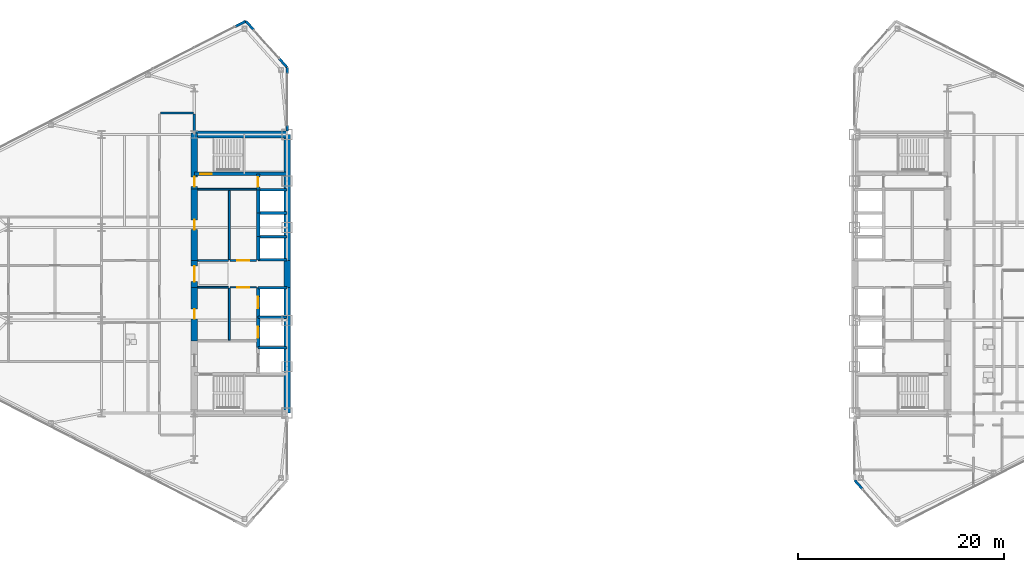
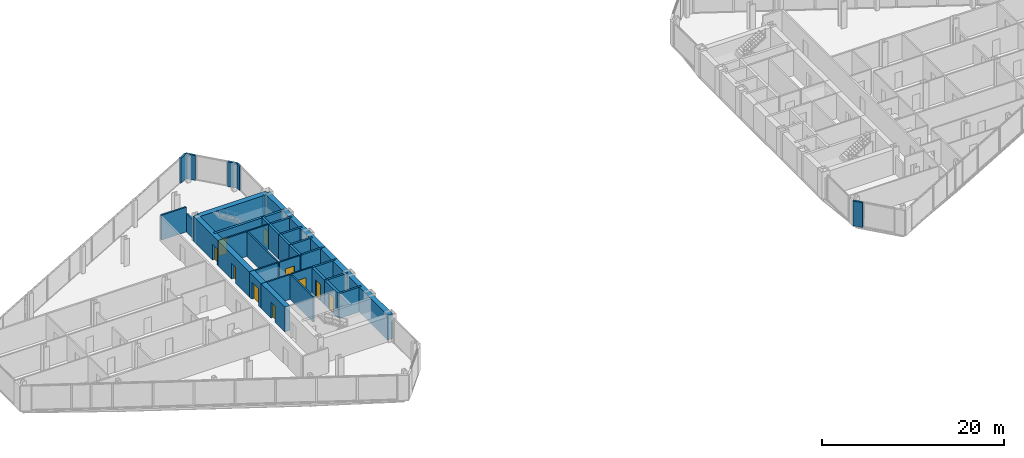
# One storey, part 17 of 23: 37 walls, 10 doors, 10 openings.
"""IFC4 building model written with IfcOpenShell, lengths in metres."""

from ifc_helpers import new_model, si_unit, direction, frame, frame_2d, origin, place, context, subcontext, project, spatial, rectangle, extrude, source, transform, mapped, material, layer, layer_set, type_object, type_shapes, element, fill, save


model = new_model("IFC4")

# Units and contexts
model_context = context("Model", 3, precision=1e-05, world=origin(), true_north=direction((0.0, 1.0)))
body_context = subcontext(model_context, "Body", "Model", "MODEL_VIEW")
ifc_project = project(units=[si_unit("LENGTHUNIT", "METRE"), si_unit("AREAUNIT", "SQUARE_METRE"), si_unit("VOLUMEUNIT", "CUBIC_METRE"), si_unit("PLANEANGLEUNIT", "RADIAN"), si_unit("MASSUNIT", "GRAM", prefix="KILO")], contexts=[model_context])

# Site, building, storey
site_placement = place(None, origin())
site = spatial("IfcSite", under=ifc_project, at=site_placement, CompositionType="ELEMENT")
building_placement = place(site_placement, origin())
building = spatial("IfcBuilding", under=site, at=building_placement, Name="Seokmaru Belvedere", CompositionType="ELEMENT")
storey_placement = place(building_placement, frame((0.0, 0.0, 132.0)))
storey = spatial("IfcBuildingStorey", under=building, at=storey_placement, Name="L35", CompositionType="ELEMENT", Elevation=132.0)

# Walls
ifc_material_1 = material(Name="Fire-Rated Gypsum Shaftwall")
ifc_layer_1 = layer(ifc_material_1, 0.179931640625)
ifc_layer_set_1 = layer_set([ifc_layer_1], Name="Fire-Rated Gypsum Shaftwall")
wall_type_1 = type_object("IfcWallType", Name="Core Service Fire Partition 180", PredefinedType="PARTITIONING", material=ifc_layer_set_1)
wall_1_placement = place(storey_placement, frame((-36.14990234375, 8.199951171875, 0.0), z_axis=(0.0, 0.0, 1.0), x_axis=(1.0, 0.0, 0.0)))
element("IfcWall", 1, at=wall_1_placement, inside=storey, type_object=wall_type_1, Name="L35 West Smokeproof Vestibule Partition", PredefinedType="PARTITIONING", context=body_context, shape_type="SweptSolid", body=[
    extrude(rectangle(XDim=5.699951171875, YDim=0.179931640625, at=frame_2d((2.85009765625, 0.0))), origin(), (0.0, 0.0, 1.0), 3.340087890625),
])
wall_2_placement = place(storey_placement, frame((-33.10009765625, -6.419921875, 0.0), z_axis=(0.0, 0.0, 1.0), x_axis=(0.0, 1.0, 0.0)))
element("IfcWall", 2, at=wall_2_placement, inside=storey, type_object=wall_type_1, Name="L35 West South Core Service Back Wall", PredefinedType="PARTITIONING", context=body_context, shape_type="SweptSolid", body=[
    extrude(rectangle(XDim=5.0400390625, YDim=0.179931640625, at=frame_2d((2.52001953125, 0.0))), origin(), (0.0, 0.0, 1.0), 3.340087890625),
])
wall_3_placement = place(storey_placement, frame((-33.10009765625, 1.3798828125, 0.0), z_axis=(0.0, 0.0, 1.0), x_axis=(0.0, 1.0, 0.0)))
element("IfcWall", 3, at=wall_3_placement, inside=storey, type_object=wall_type_1, Name="L35 West North Core Service Back Wall", PredefinedType="PARTITIONING", context=body_context, shape_type="SweptSolid", body=[
    extrude(rectangle(XDim=6.740234375, YDim=0.179931640625, at=frame_2d((3.3701171875, 0.0))), origin(), (0.0, 0.0, 1.0), 3.340087890625),
])

# Wall, opening, door
wall_4_placement = place(storey_placement, frame((-33.02001953125, -1.300048828125, 0.0), z_axis=(0.0, 0.0, 1.0), x_axis=(1.0, 0.0, 0.0)))
wall_4 = element("IfcWall", 4, at=wall_4_placement, inside=storey, type_object=wall_type_1, Name="L35 West South Lift Lobby Foyer Wall", PredefinedType="PARTITIONING", context=body_context, shape_type="SweptSolid", body=[
    extrude(rectangle(XDim=2.570068359375, YDim=0.179931640625, at=frame_2d((1.28515625, 0.0))), origin(), (0.0, 0.0, 1.0), 3.340087890625),
])
opening_1_placement = place(wall_4_placement, frame((0.7099609375, 0.0, 0.0)))
opening_1 = element("IfcOpeningElement", 5, at=opening_1_placement, cuts=wall_4, Name="Opening D02", PredefinedType="OPENING", context=body_context, shape_type="SweptSolid", body=[
    extrude(rectangle(XDim=1.14990234375, YDim=2.199951171875, at=frame_2d((0.574951171875, 1.10009765625))), frame((0.0, 0.10009765625, 0.0), z_axis=(0.0, -1.0, 0.0), x_axis=(1.0, 0.0, 0.0)), (0.0, 0.0, 1.0), 0.199951171875),
])
ifc_material_2 = material(Name="Fire-Rated Steel Leaf", Category="steel")
door_type_1 = type_object("IfcDoorType", Name="Lobby and Vestibule Fire Door 1150x2200", OperationType="NOTDEFINED", PredefinedType="DOOR", material=ifc_material_2)
shared_shape_1 = source(origin(), body_context, "Body", "SweptSolid", [
    extrude(rectangle(XDim=1.14990234375, YDim=2.199951171875, at=frame_2d((0.574951171875, 1.10009765625))), frame((0.0, 0.02490234375, 0.0), z_axis=(0.0, -1.0, 0.0), x_axis=(1.0, 0.0, 0.0)), (0.0, 0.0, 1.0), 0.050048828125),
])
type_shapes(door_type_1, [shared_shape_1])
door_1_placement = place(opening_1_placement, origin())
door_1 = element("IfcDoor", 6, at=door_1_placement, inside=storey, type_object=door_type_1, Name="L35 West South Core Foyer Door", OperationType="SINGLE_SWING_LEFT", OverallHeight=2.199951171875, OverallWidth=1.14990234375, PredefinedType="DOOR", context=body_context, shape_type="MappedRepresentation", body=[
    mapped(shared_shape_1, transform((0.0, 0.0, 0.0), scale=1.0)),
])
fill(opening_1, door_1)

wall_5_placement = place(storey_placement, frame((-33.02001953125, 1.300048828125, 0.0), z_axis=(0.0, 0.0, 1.0), x_axis=(1.0, 0.0, 0.0)))
wall_5 = element("IfcWall", 7, at=wall_5_placement, inside=storey, type_object=wall_type_1, Name="L35 West North Lift Lobby Foyer Wall", PredefinedType="PARTITIONING", context=body_context, shape_type="SweptSolid", body=[
    extrude(rectangle(XDim=2.570068359375, YDim=0.179931640625, at=frame_2d((1.28515625, 0.0))), origin(), (0.0, 0.0, 1.0), 3.340087890625),
])
opening_2_placement = place(wall_5_placement, frame((0.7099609375, 0.0, 0.0)))
opening_2 = element("IfcOpeningElement", 8, at=opening_2_placement, cuts=wall_5, Name="Opening D02", PredefinedType="OPENING", context=body_context, shape_type="SweptSolid", body=[
    extrude(rectangle(XDim=1.14990234375, YDim=2.199951171875, at=frame_2d((0.574951171875, 1.10009765625))), frame((0.0, 0.10009765625, 0.0), z_axis=(0.0, -1.0, 0.0), x_axis=(1.0, 0.0, 0.0)), (0.0, 0.0, 1.0), 0.199951171875),
])
door_2_placement = place(opening_2_placement, origin())
door_2 = element("IfcDoor", 9, at=door_2_placement, inside=storey, type_object=door_type_1, Name="L35 West North Lift Lobby Door", OperationType="SINGLE_SWING_RIGHT", OverallHeight=2.199951171875, OverallWidth=1.14990234375, PredefinedType="DOOR", context=body_context, shape_type="MappedRepresentation", body=[
    mapped(shared_shape_1, transform((0.0, 0.0, 0.0), scale=1.0)),
])
fill(opening_2, door_2)

# Walls
for number, where, z_axis, x_axis, name in (
    (10, (-36.14990234375, -1.300048828125, 0.0), (0.0, 0.0, 1.0), (1.0, 0.0, 0.0), "L35 West Foyer Side Wall S"),
    (11, (-36.14990234375, 1.300048828125, 0.0), (0.0, 0.0, 1.0), (1.0, 0.0, 0.0), "L35 West Foyer Side Wall N"),
):
    element("IfcWall", number, at=place(storey_placement, frame(where, z_axis=z_axis, x_axis=x_axis)), inside=storey, type_object=wall_type_1, Name=name, PredefinedType="PARTITIONING", context=body_context, shape_type="SweptSolid", body=[
        extrude(rectangle(XDim=2.949951171875, YDim=0.179931640625, at=frame_2d((1.47509765625, 0.0))), origin(), (0.0, 0.0, 1.0), 3.340087890625),
    ])
ifc_material_3 = material(Name="Concrete C50 (50 MPa)", Category="concrete")
ifc_layer_2 = layer(ifc_material_3, 0.25)
ifc_layer_set_2 = layer_set([ifc_layer_2], Name="Concrete C50 (50 MPa)")
wall_type_2 = type_object("IfcWallType", Name="Hoistway Transverse Concrete Divider Wall 250", PredefinedType="SHEAR", material=ifc_layer_set_2)
for number, where, z_axis, x_axis, name in (
    (12, (-30.300048828125, -7.14990234375, 0.0), (0.0, 0.0, 1.0), (1.0, 0.0, 0.0), "L35 West Hoistway Divider Core Wall 1"),
    (13, (-30.300048828125, -4.199951171875, 0.0), (0.0, 0.0, 1.0), (1.0, 0.0, 0.0), "L35 West Hoistway Divider Core Wall 2"),
    (14, (-30.300048828125, -1.35009765625, 0.0), (0.0, 0.0, 1.0), (1.0, 0.0, 0.0), "L35 West Hoistway Divider Core Wall 3"),
    (15, (-30.300048828125, 1.35009765625, 0.0), (0.0, 0.0, 1.0), (1.0, 0.0, 0.0), "L35 West Hoistway Divider Core Wall 4"),
    (16, (-30.300048828125, 3.60009765625, 0.0), (0.0, 0.0, 1.0), (1.0, 0.0, 0.0), "L35 West Hoistway Divider Core Wall 5"),
    (17, (-30.300048828125, 5.89990234375, 0.0), (0.0, 0.0, 1.0), (1.0, 0.0, 0.0), "L35 West Hoistway Divider Core Wall 6"),
    (18, (-30.300048828125, 8.14990234375, 0.0), (0.0, 0.0, 1.0), (1.0, 0.0, 0.0), "L35 West Hoistway Divider Core Wall 7"),
):
    element("IfcWall", number, at=place(storey_placement, frame(where, z_axis=z_axis, x_axis=x_axis)), inside=storey, type_object=wall_type_2, Name=name, PredefinedType="SHEAR", context=body_context, shape_type="SweptSolid", body=[
        extrude(rectangle(XDim=2.800048828125, YDim=0.25, at=frame_2d((1.39990234375, 0.0))), origin(), (0.0, 0.0, 1.0), 3.340087890625),
    ])
ifc_layer_3 = layer(ifc_material_1, 0.199951171875)
ifc_layer_set_3 = layer_set([ifc_layer_3], Name="Fire-Rated Gypsum Shaftwall")
wall_type_3 = type_object("IfcWallType", Name="Inter-Tenancy Fire Compartment Partition 200", PredefinedType="PARTITIONING", material=ifc_layer_set_3)
wall_6_placement = place(storey_placement, frame((-39.764892578125, 15.60009765625, 0.0), z_axis=(0.0, 0.0, 1.0), x_axis=(1.0, 0.0, 0.0)))
element("IfcWall", 19, at=wall_6_placement, inside=storey, type_object=wall_type_3, Name="L35 Interior Partition 020", PredefinedType="PARTITIONING", context=body_context, shape_type="SweptSolid", body=[
    extrude(rectangle(XDim=3.179931640625, YDim=0.199951171875, at=frame_2d((1.58984375, 0.0))), origin(), (0.0, 0.0, 1.0), 3.340087890625),
])
wall_7_placement = place(storey_placement, frame((-36.5, 13.830078125, 0.0), z_axis=(0.0, 0.0, 1.0), x_axis=(0.0, 1.0, 0.0)))
element("IfcWall", 20, at=wall_7_placement, inside=storey, type_object=wall_type_3, Name="L35 Interior Partition 028", PredefinedType="PARTITIONING", context=body_context, shape_type="SweptSolid", body=[
    extrude(rectangle(XDim=1.684814453125, YDim=0.199951171875, at=frame_2d((0.84228515625, 0.0))), origin(), (0.0, 0.0, 1.0), 2.43994140625),
])

# Wall, opening, door
ifc_layer_4 = layer(ifc_material_3, 0.300048828125)
ifc_layer_set_4 = layer_set([ifc_layer_4], Name="Concrete C50 (50 MPa)")
wall_type_4 = type_object("IfcWallType", Name="Internal Core Stair and Hoistway Wall 300", PredefinedType="SHEAR", material=ifc_layer_set_4)
wall_8_placement = place(storey_placement, frame((-36.5, 9.699951171875, 0.0), z_axis=(0.0, 0.0, 1.0), x_axis=(1.0, 0.0, 0.0)))
wall_8 = element("IfcWall", 21, at=wall_8_placement, inside=storey, type_object=wall_type_4, Name="L35 West Stair ST-2 Enclosure Wall", PredefinedType="SHEAR", context=body_context, shape_type="SweptSolid", body=[
    extrude(rectangle(XDim=9.0, YDim=0.300048828125, at=frame_2d((4.5, 0.0))), origin(), (0.0, 0.0, 1.0), 3.340087890625),
])
opening_3_placement = place(wall_8_placement, frame((0.60009765625, 0.0, 0.0)))
opening_3 = element("IfcOpeningElement", 22, at=opening_3_placement, cuts=wall_8, Name="Opening D01", PredefinedType="OPENING", context=body_context, shape_type="SweptSolid", body=[
    extrude(rectangle(XDim=1.10009765625, YDim=2.199951171875, at=frame_2d((0.550048828125, 1.10009765625))), frame((0.0, 0.16015625, 0.0), z_axis=(0.0, -1.0, 0.0), x_axis=(1.0, 0.0, 0.0)), (0.0, 0.0, 1.0), 0.320068359375),
])
door_type_2 = type_object("IfcDoorType", Name="Special Escape Stair Smokeproof Fire Door 1100x2200", OperationType="NOTDEFINED", PredefinedType="DOOR", material=ifc_material_2)
shared_shape_2 = source(origin(), body_context, "Body", "SweptSolid", [
    extrude(rectangle(XDim=1.10009765625, YDim=2.199951171875, at=frame_2d((0.550048828125, 1.10009765625))), frame((0.0, 0.02490234375, 0.0), z_axis=(0.0, -1.0, 0.0), x_axis=(1.0, 0.0, 0.0)), (0.0, 0.0, 1.0), 0.050048828125),
])
type_shapes(door_type_2, [shared_shape_2])
door_3_placement = place(opening_3_placement, origin())
door_3 = element("IfcDoor", 23, at=door_3_placement, inside=storey, type_object=door_type_2, Name="L35 West Special Escape Stair ST-2 Door", OperationType="SINGLE_SWING_RIGHT", OverallHeight=2.199951171875, OverallWidth=1.10009765625, PredefinedType="DOOR", context=body_context, shape_type="MappedRepresentation", body=[
    mapped(shared_shape_2, transform((0.0, 0.0, 0.0), scale=1.0)),
])
fill(opening_3, door_3)

wall_9_placement = place(storey_placement, frame((-30.300048828125, -7.1201171875, 0.0), z_axis=(0.0, 0.0, 1.0), x_axis=(0.0, 1.0, 0.0)))
wall_9 = element("IfcWall", 24, at=wall_9_placement, inside=storey, type_object=wall_type_4, Name="L35 West Low-Rise Lift PL-1 Front Wall", PredefinedType="SHEAR", context=body_context, shape_type="SweptSolid", body=[
    extrude(rectangle(XDim=2.920166015625, YDim=0.300048828125, at=frame_2d((1.4599609375, 0.0))), origin(), (0.0, 0.0, 1.0), 3.340087890625),
])
opening_4_placement = place(wall_9_placement, frame((0.909912109375, 0.0, 0.0)))
opening_4 = element("IfcOpeningElement", 25, at=opening_4_placement, cuts=wall_9, Name="Opening LD1", PredefinedType="OPENING", context=body_context, shape_type="SweptSolid", body=[
    extrude(rectangle(XDim=1.10009765625, YDim=2.199951171875, at=frame_2d((0.550048828125, 1.10009765625))), frame((0.0, 0.16015625, 0.0), z_axis=(0.0, -1.0, 0.0), x_axis=(1.0, 0.0, 0.0)), (0.0, 0.0, 1.0), 0.320068359375),
])
ifc_material_4 = material(Name="Stainless Steel 316", Category="steel")
door_type_3 = type_object("IfcDoorType", Name="Passenger Lift Sliding Landing Door 1100x2200", OperationType="DOUBLE_DOOR_SLIDING", PredefinedType="DOOR", material=ifc_material_4)
shared_shape_3 = source(origin(), body_context, "Body", "SweptSolid", [
    extrude(rectangle(XDim=1.10009765625, YDim=2.199951171875, at=frame_2d((0.550048828125, 1.10009765625))), frame((0.0, 0.02490234375, 0.0), z_axis=(0.0, -1.0, 0.0), x_axis=(1.0, 0.0, 0.0)), (0.0, 0.0, 1.0), 0.050048828125),
])
type_shapes(door_type_3, [shared_shape_3])
door_4_placement = place(opening_4_placement, origin())
door_4 = element("IfcDoor", 26, at=door_4_placement, inside=storey, type_object=door_type_3, Name="L35 West Low-Rise Lift PL-1 Landing Door", OperationType="DOUBLE_DOOR_SLIDING", OverallHeight=2.199951171875, OverallWidth=1.10009765625, PredefinedType="DOOR", context=body_context, shape_type="MappedRepresentation", body=[
    mapped(shared_shape_3, transform((0.0, 0.0, 0.0), scale=1.0)),
])
fill(opening_4, door_4)

wall_10_placement = place(storey_placement, frame((-30.300048828125, -4.199951171875, 0.0), z_axis=(0.0, 0.0, 1.0), x_axis=(0.0, 1.0, 0.0)))
wall_10 = element("IfcWall", 27, at=wall_10_placement, inside=storey, type_object=wall_type_4, Name="L35 West Low-Rise Lift PL-2 Front Wall", PredefinedType="SHEAR", context=body_context, shape_type="SweptSolid", body=[
    extrude(rectangle(XDim=2.8798828125, YDim=0.300048828125, at=frame_2d((1.43994140625, 0.0))), origin(), (0.0, 0.0, 1.0), 3.340087890625),
])
opening_5_placement = place(wall_10_placement, frame((0.889892578125, 0.0, 0.0)))
opening_5 = element("IfcOpeningElement", 28, at=opening_5_placement, cuts=wall_10, Name="Opening LD1", PredefinedType="OPENING", context=body_context, shape_type="SweptSolid", body=[
    extrude(rectangle(XDim=1.10009765625, YDim=2.199951171875, at=frame_2d((0.550048828125, 1.10009765625))), frame((0.0, 0.16015625, 0.0), z_axis=(0.0, -1.0, 0.0), x_axis=(1.0, 0.0, 0.0)), (0.0, 0.0, 1.0), 0.320068359375),
])
door_5_placement = place(opening_5_placement, origin())
door_5 = element("IfcDoor", 29, at=door_5_placement, inside=storey, type_object=door_type_3, Name="L35 West Low-Rise Lift PL-2 Landing Door", OperationType="DOUBLE_DOOR_SLIDING", OverallHeight=2.199951171875, OverallWidth=1.10009765625, PredefinedType="DOOR", context=body_context, shape_type="MappedRepresentation", body=[
    mapped(shared_shape_3, transform((0.0, 0.0, 0.0), scale=1.0)),
])
fill(opening_5, door_5)

# Walls
wall_11_placement = place(storey_placement, frame((-30.300048828125, 1.320068359375, 0.0), z_axis=(0.0, 0.0, 1.0), x_axis=(0.0, 1.0, 0.0)))
element("IfcWall", 30, at=wall_11_placement, inside=storey, type_object=wall_type_4, Name="L35 West North Hoistway Wall PH1", PredefinedType="SHEAR", context=body_context, shape_type="SweptSolid", body=[
    extrude(rectangle(XDim=2.280029296875, YDim=0.300048828125, at=frame_2d((1.14013671875, 0.0))), origin(), (0.0, 0.0, 1.0), 3.340087890625),
])
wall_12_placement = place(storey_placement, frame((-30.300048828125, 3.60009765625, 0.0), z_axis=(0.0, 0.0, 1.0), x_axis=(0.0, 1.0, 0.0)))
element("IfcWall", 31, at=wall_12_placement, inside=storey, type_object=wall_type_4, Name="L35 West North Hoistway Wall PH2", PredefinedType="SHEAR", context=body_context, shape_type="SweptSolid", body=[
    extrude(rectangle(XDim=2.2998046875, YDim=0.300048828125, at=frame_2d((1.14990234375, 0.0))), origin(), (0.0, 0.0, 1.0), 3.340087890625),
])
wall_13_placement = place(storey_placement, frame((-30.300048828125, 5.89990234375, 0.0), z_axis=(0.0, 0.0, 1.0), x_axis=(0.0, 1.0, 0.0)))
element("IfcWall", 32, at=wall_13_placement, inside=storey, type_object=wall_type_4, Name="L35 West North Hoistway Wall OBS", PredefinedType="SHEAR", context=body_context, shape_type="SweptSolid", body=[
    extrude(rectangle(XDim=2.25, YDim=0.300048828125, at=frame_2d((1.125, 0.0))), origin(), (0.0, 0.0, 1.0), 3.340087890625),
])

# Wall, opening, door
wall_14_placement = place(storey_placement, frame((-30.300048828125, 8.14990234375, 0.0), z_axis=(0.0, 0.0, 1.0), x_axis=(0.0, 1.0, 0.0)))
wall_14 = element("IfcWall", 33, at=wall_14_placement, inside=storey, type_object=wall_type_4, Name="L35 West Electrical Riser Front Wall", PredefinedType="SHEAR", context=body_context, shape_type="SweptSolid", body=[
    extrude(rectangle(XDim=1.530029296875, YDim=0.300048828125, at=frame_2d((0.76513671875, 0.0))), origin(), (0.0, 0.0, 1.0), 3.340087890625),
])
opening_6_placement = place(wall_14_placement, frame((0.284912109375, 0.0, 0.0)))
opening_6 = element("IfcOpeningElement", 34, at=opening_6_placement, cuts=wall_14, Name="Opening D04", PredefinedType="OPENING", context=body_context, shape_type="SweptSolid", body=[
    extrude(rectangle(XDim=0.949951171875, YDim=2.14990234375, at=frame_2d((0.47509765625, 1.074951171875))), frame((0.0, 0.16015625, 0.0), z_axis=(0.0, -1.0, 0.0), x_axis=(1.0, 0.0, 0.0)), (0.0, 0.0, 1.0), 0.320068359375),
])
door_type_4 = type_object("IfcDoorType", Name="Core Service Room Fire Door 950x2150", OperationType="NOTDEFINED", PredefinedType="DOOR", material=ifc_material_2)
shared_shape_4 = source(origin(), body_context, "Body", "SweptSolid", [
    extrude(rectangle(XDim=0.949951171875, YDim=2.14990234375, at=frame_2d((0.47509765625, 1.074951171875))), frame((0.0, 0.02490234375, 0.0), z_axis=(0.0, -1.0, 0.0), x_axis=(1.0, 0.0, 0.0)), (0.0, 0.0, 1.0), 0.050048828125),
])
type_shapes(door_type_4, [shared_shape_4])
door_6_placement = place(opening_6_placement, origin())
door_6 = element("IfcDoor", 35, at=door_6_placement, inside=storey, type_object=door_type_4, Name="L35 West Electrical Riser Access Door", OperationType="SINGLE_SWING_LEFT", OverallHeight=2.14990234375, OverallWidth=0.949951171875, PredefinedType="DOOR", context=body_context, shape_type="MappedRepresentation", body=[
    mapped(shared_shape_4, transform((0.0, 0.0, 0.0), scale=1.0)),
])
fill(opening_6, door_6)

# Walls
ifc_material_5 = material(Name="Concrete C60 (60 MPa)", Category="concrete")
ifc_layer_5 = layer(ifc_material_5, 0.64990234375)
ifc_layer_set_5 = layer_set([ifc_layer_5], Name="Concrete C60 (60 MPa)")
wall_type_5 = type_object("IfcWallType", Name="Mid-Low Reinforced Concrete Core Wall 650", PredefinedType="SHEAR", material=ifc_layer_set_5)
for number, where, z_axis, x_axis, name in (
    (36, (-27.5, -13.5, 0.0), (0.0, 0.0, 1.0), (0.0, 1.0, 0.0), "L35 West Portal Spine Core Wall South"),
    (37, (-27.5, 1.300048828125, 0.0), (0.0, 0.0, 1.0), (0.0, 1.0, 0.0), "L35 West Portal Spine Core Wall North"),
):
    element("IfcWall", number, at=place(storey_placement, frame(where, z_axis=z_axis, x_axis=x_axis)), inside=storey, type_object=wall_type_5, Name=name, PredefinedType="SHEAR", context=body_context, shape_type="SweptSolid", body=[
        extrude(rectangle(XDim=12.199951171875, YDim=0.64990234375, at=frame_2d((6.10009765625, 0.0))), origin(), (0.0, 0.0, 1.0), 3.340087890625),
    ])
wall_15_placement = place(storey_placement, frame((-27.5, -1.300048828125, 0.0), z_axis=(0.0, 0.0, 1.0), x_axis=(0.0, 1.0, 0.0)))
element("IfcWall", 38, at=wall_15_placement, inside=storey, type_object=wall_type_5, Name="L35 West Portal Spine Core Wall Center", PredefinedType="SHEAR", context=body_context, shape_type="SweptSolid", body=[
    extrude(rectangle(XDim=2.60009765625, YDim=0.64990234375, at=frame_2d((1.300048828125, 0.0))), origin(), (0.0, 0.0, 1.0), 3.340087890625),
])
wall_16_placement = place(storey_placement, frame((-36.5, 13.5, 0.0), z_axis=(0.0, 0.0, 1.0), x_axis=(1.0, 0.0, 0.0)))
element("IfcWall", 39, at=wall_16_placement, inside=storey, type_object=wall_type_5, Name="L35 West North Core Wall", PredefinedType="SHEAR", context=body_context, shape_type="SweptSolid", body=[
    extrude(rectangle(XDim=9.0, YDim=0.64990234375, at=frame_2d((4.5, 0.0))), origin(), (0.0, 0.0, 1.0), 3.340087890625),
])

# Wall, opening, door
wall_17_placement = place(storey_placement, frame((-36.5, -1.300048828125, 0.0), z_axis=(0.0, 0.0, 1.0), x_axis=(0.0, 1.0, 0.0)))
wall_17 = element("IfcWall", 40, at=wall_17_placement, inside=storey, type_object=wall_type_5, Name="L35 West West Core Wall FOY", PredefinedType="SHEAR", context=body_context, shape_type="SweptSolid", body=[
    extrude(rectangle(XDim=2.60009765625, YDim=0.64990234375, at=frame_2d((1.300048828125, 0.0))), origin(), (0.0, 0.0, 1.0), 3.340087890625),
])
opening_7_placement = place(wall_17_placement, frame((0.550048828125, 0.0, 0.0)))
opening_7 = element("IfcOpeningElement", 41, at=opening_7_placement, cuts=wall_17, Name="Opening D08", PredefinedType="OPENING", context=body_context, shape_type="SweptSolid", body=[
    extrude(rectangle(XDim=1.5, YDim=2.300048828125, at=frame_2d((0.75, 1.14990234375))), frame((0.0, 0.3349609375, 0.0), z_axis=(0.0, -1.0, 0.0), x_axis=(1.0, 0.0, 0.0)), (0.0, 0.0, 1.0), 0.669921875),
])
door_type_5 = type_object("IfcDoorType", Name="Cross-Corridor Compartment Double Fire Door 1500x2300", OperationType="DOUBLE_SWING_LEFT", PredefinedType="DOOR", material=ifc_material_2)
shared_shape_5 = source(origin(), body_context, "Body", "SweptSolid", [
    extrude(rectangle(XDim=1.5, YDim=2.300048828125, at=frame_2d((0.75, 1.14990234375))), frame((0.0, 0.02490234375, 0.0), z_axis=(0.0, -1.0, 0.0), x_axis=(1.0, 0.0, 0.0)), (0.0, 0.0, 1.0), 0.050048828125),
])
type_shapes(door_type_5, [shared_shape_5])
door_7_placement = place(opening_7_placement, origin())
door_7 = element("IfcDoor", 42, at=door_7_placement, inside=storey, type_object=door_type_5, Name="L35 West Core Foyer Compartment Door", OperationType="DOUBLE_SWING_LEFT", OverallHeight=2.300048828125, OverallWidth=1.5, PredefinedType="DOOR", context=body_context, shape_type="MappedRepresentation", body=[
    mapped(shared_shape_5, transform((0.0, 0.0, 0.0), scale=1.0)),
])
fill(opening_7, door_7)

wall_18_placement = place(storey_placement, frame((-36.5, 8.199951171875, 0.0), z_axis=(0.0, 0.0, 1.0), x_axis=(0.0, 1.0, 0.0)))
wall_18 = element("IfcWall", 43, at=wall_18_placement, inside=storey, type_object=wall_type_5, Name="L35 West West Core Wall VST", PredefinedType="SHEAR", context=body_context, shape_type="SweptSolid", body=[
    extrude(rectangle(XDim=5.449951171875, YDim=0.64990234375, at=frame_2d((2.72509765625, 0.0))), origin(), (0.0, 0.0, 1.0), 3.340087890625),
])
opening_8_placement = place(wall_18_placement, frame((0.2451171875, 0.0, 0.0)))
opening_8 = element("IfcOpeningElement", 44, at=opening_8_placement, cuts=wall_18, Name="Opening D04", PredefinedType="OPENING", context=body_context, shape_type="SweptSolid", body=[
    extrude(rectangle(XDim=0.949951171875, YDim=2.14990234375, at=frame_2d((0.47509765625, 1.074951171875))), frame((0.0, 0.3349609375, 0.0), z_axis=(0.0, -1.0, 0.0), x_axis=(1.0, 0.0, 0.0)), (0.0, 0.0, 1.0), 0.669921875),
])
door_8_placement = place(opening_8_placement, frame((0.949951171875, 0.0, 0.0), z_axis=(0.0, 0.0, 1.0), x_axis=(-1.0, 0.0, 0.0)))
door_8 = element("IfcDoor", 45, at=door_8_placement, inside=storey, type_object=door_type_4, Name="L35 West Smokeproof Vestibule Door", OperationType="SINGLE_SWING_RIGHT", OverallHeight=2.14990234375, OverallWidth=0.949951171875, PredefinedType="DOOR", context=body_context, shape_type="MappedRepresentation", body=[
    mapped(shared_shape_4, transform((0.0, 0.0, 0.0), scale=1.0)),
])
fill(opening_8, door_8)

wall_19_placement = place(storey_placement, frame((-36.5, -6.5, 0.0), z_axis=(0.0, 0.0, 1.0), x_axis=(0.0, 1.0, 0.0)))
wall_19 = element("IfcWall", 46, at=wall_19_placement, inside=storey, type_object=wall_type_5, Name="L35 West West Core Wall CS1", PredefinedType="SHEAR", context=body_context, shape_type="SweptSolid", body=[
    extrude(rectangle(XDim=5.199951171875, YDim=0.64990234375, at=frame_2d((2.60009765625, 0.0))), origin(), (0.0, 0.0, 1.0), 3.340087890625),
])
opening_9_placement = place(wall_19_placement, frame((2.125, 0.0, 0.0)))
opening_9 = element("IfcOpeningElement", 47, at=opening_9_placement, cuts=wall_19, Name="Opening D04", PredefinedType="OPENING", context=body_context, shape_type="SweptSolid", body=[
    extrude(rectangle(XDim=0.949951171875, YDim=2.14990234375, at=frame_2d((0.47509765625, 1.074951171875))), frame((0.0, 0.3349609375, 0.0), z_axis=(0.0, -1.0, 0.0), x_axis=(1.0, 0.0, 0.0)), (0.0, 0.0, 1.0), 0.669921875),
])
door_9_placement = place(opening_9_placement, origin())
door_9 = element("IfcDoor", 48, at=door_9_placement, inside=storey, type_object=door_type_4, Name="L35 West Core Service Room Door 1", OperationType="SINGLE_SWING_LEFT", OverallHeight=2.14990234375, OverallWidth=0.949951171875, PredefinedType="DOOR", context=body_context, shape_type="MappedRepresentation", body=[
    mapped(shared_shape_4, transform((0.0, 0.0, 0.0), scale=1.0)),
])
fill(opening_9, door_9)

wall_20_placement = place(storey_placement, frame((-36.5, 1.300048828125, 0.0), z_axis=(0.0, 0.0, 1.0), x_axis=(0.0, 1.0, 0.0)))
wall_20 = element("IfcWall", 49, at=wall_20_placement, inside=storey, type_object=wall_type_5, Name="L35 West West Core Wall CS2", PredefinedType="SHEAR", context=body_context, shape_type="SweptSolid", body=[
    extrude(rectangle(XDim=6.89990234375, YDim=0.64990234375, at=frame_2d((3.449951171875, 0.0))), origin(), (0.0, 0.0, 1.0), 3.340087890625),
])
opening_10_placement = place(wall_20_placement, frame((2.97509765625, 0.0, 0.0)))
opening_10 = element("IfcOpeningElement", 50, at=opening_10_placement, cuts=wall_20, Name="Opening D04", PredefinedType="OPENING", context=body_context, shape_type="SweptSolid", body=[
    extrude(rectangle(XDim=0.949951171875, YDim=2.14990234375, at=frame_2d((0.47509765625, 1.074951171875))), frame((0.0, 0.3349609375, 0.0), z_axis=(0.0, -1.0, 0.0), x_axis=(1.0, 0.0, 0.0)), (0.0, 0.0, 1.0), 0.669921875),
])
door_10_placement = place(opening_10_placement, origin())
door_10 = element("IfcDoor", 51, at=door_10_placement, inside=storey, type_object=door_type_4, Name="L35 West Core Service Room Door 2", OperationType="SINGLE_SWING_RIGHT", OverallHeight=2.14990234375, OverallWidth=0.949951171875, PredefinedType="DOOR", context=body_context, shape_type="MappedRepresentation", body=[
    mapped(shared_shape_4, transform((0.0, 0.0, 0.0), scale=1.0)),
])
fill(opening_10, door_10)

# Walls
ifc_material_6 = material(Name="Anodised Bronze Aluminium", Category="aluminium")
ifc_layer_6 = layer(ifc_material_6, 0.239990234375)
ifc_layer_set_6 = layer_set([ifc_layer_6], Name="Anodised Bronze Aluminium")
wall_type_6 = type_object("IfcWallType", Name="Tower Corner Spandrel Closure Wall 240", PredefinedType="SOLIDWALL", material=ifc_layer_set_6)
wall_21_placement = place(storey_placement, frame((-27.5, 13.830078125, 0.0), z_axis=(0.0, 0.0, 1.0), x_axis=(0.0, 1.0, 0.0)))
element("IfcWall", 52, at=wall_21_placement, inside=storey, type_object=wall_type_6, Name="L35 W Spine Closure Pier 2A", PredefinedType="SOLIDWALL", context=body_context, shape_type="SweptSolid", body=[
    extrude(rectangle(XDim=0.5498046875, YDim=0.239990234375, at=frame_2d((0.27490234375, 0.0))), origin(), (0.0, 0.0, 1.0), 2.7900390625),
])
wall_22_placement = place(storey_placement, frame((-27.5, 19.429931640625, 0.0), z_axis=(0.0, 0.0, 1.0), x_axis=(0.0, 1.0, 0.0)))
element("IfcWall", 53, at=wall_22_placement, inside=storey, type_object=wall_type_6, Name="L35 W Spine Closure Pier 2B", PredefinedType="SOLIDWALL", context=body_context, shape_type="SweptSolid", body=[
    extrude(rectangle(XDim=0.550048828125, YDim=0.239990234375, at=frame_2d((0.27490234375, 0.0))), origin(), (0.0, 0.0, 1.0), 3.340087890625),
])
for number, where, z_axis, x_axis, name in (
    (54, (-27.506591796875, 20.007568359375, 0.0), (0.0, 0.0, 1.0), (-0.664337252513, 0.747432950119, 0.0), "L35 W Corner Closure Pier 2A"),
    (55, (-30.736083984375, 23.640380859375, 0.0), (0.0, 0.0, 1.0), (-0.664337252513, 0.747432950119, 0.0), "L35 W Corner Closure Pier 2B"),
):
    element("IfcWall", number, at=place(storey_placement, frame(where, z_axis=z_axis, x_axis=x_axis)), inside=storey, type_object=wall_type_6, Name=name, PredefinedType="SOLIDWALL", context=body_context, shape_type="SweptSolid", body=[
        extrude(rectangle(XDim=1.139892578125, YDim=0.239990234375, at=frame_2d((0.56982421875, 0.0))), origin(), (0.0, 0.0, 1.0), 3.340087890625),
    ])
wall_23_placement = place(storey_placement, frame((-31.5087890625, 24.495361328125, 0.0), z_axis=(0.0, 0.0, 1.0), x_axis=(-0.889797395748, -0.456355776255, 0.0)))
element("IfcWall", 56, at=wall_23_placement, inside=storey, type_object=wall_type_6, Name="L35 W Corner Closure Pier 3A", PredefinedType="SOLIDWALL", context=body_context, shape_type="SweptSolid", body=[
    extrude(rectangle(XDim=1.14013671875, YDim=0.239990234375, at=frame_2d((0.570068359375, 0.0))), origin(), (0.0, 0.0, 1.0), 3.340087890625),
])
wall_24_placement = place(storey_placement, frame((27.506591796875, -20.007568359375, 0.0), z_axis=(0.0, 0.0, 1.0), x_axis=(0.664337252513, -0.747432950119, 0.0)))
element("IfcWall", 57, at=wall_24_placement, inside=storey, type_object=wall_type_6, Name="L35 E Corner Closure Pier 6A", PredefinedType="SOLIDWALL", context=body_context, shape_type="SweptSolid", body=[
    extrude(rectangle(XDim=1.139892578125, YDim=0.239990234375, at=frame_2d((0.56982421875, 0.0))), origin(), (0.0, 0.0, 1.0), 3.340087890625),
])

save(model, "model.ifc")
